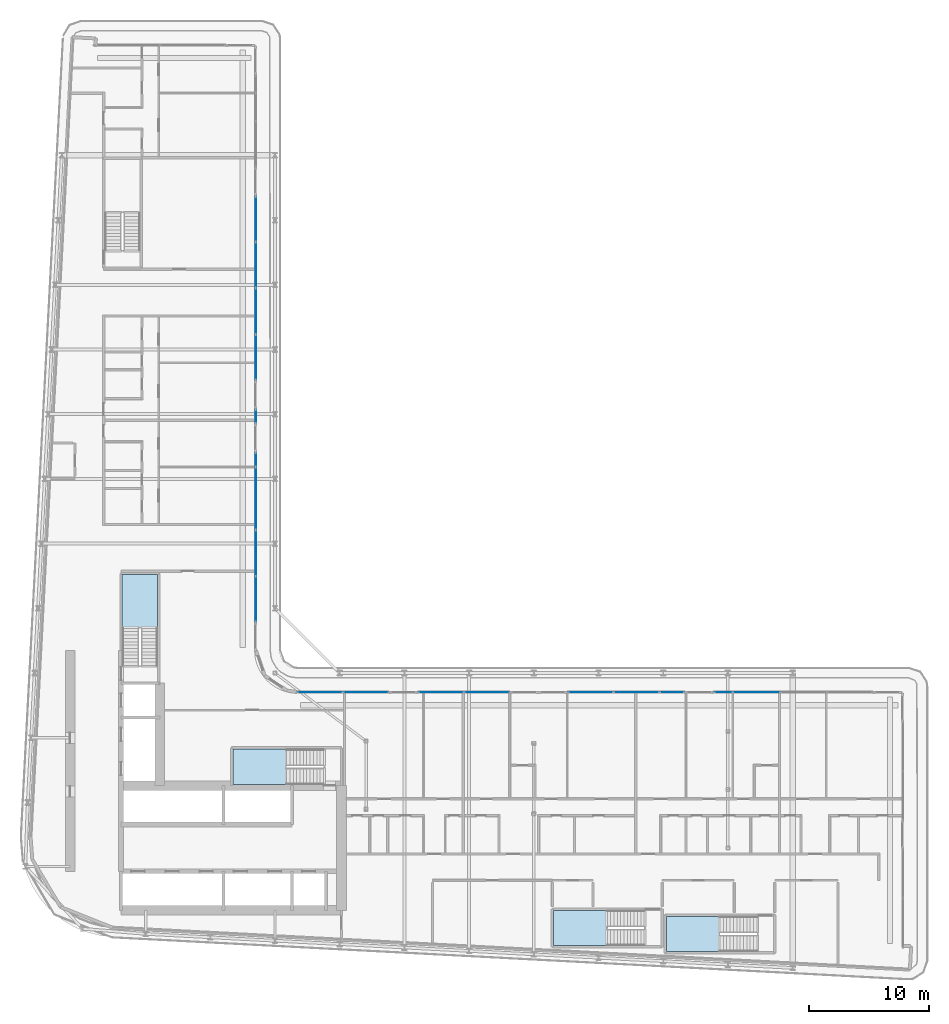
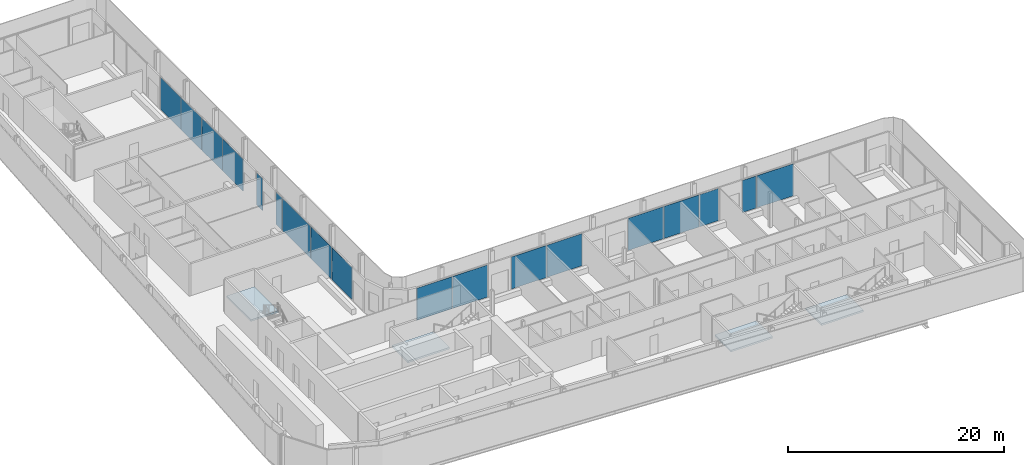
# One storey, part 12 of 29: 18 plates, 4 slabs, 14 elements without a shape of their own.
"""IFC4 building model written with IfcOpenShell, lengths in metres."""

from ifc_helpers import new_model, si_unit, direction, frame, origin, origin_2d, place, context, subcontext, project, spatial, polyline, rectangle, outline, extrude, material, layer, layer_set, type_object, element, aggregate, save


model = new_model("IFC4")

# Units and contexts
model_context = context("Model", 3, precision=1e-05, world=origin(), true_north=direction((0.0, 1.0)))
body_context = subcontext(model_context, "Body", "Model", "MODEL_VIEW")
ifc_project = project(units=[si_unit("LENGTHUNIT", "METRE"), si_unit("AREAUNIT", "SQUARE_METRE"), si_unit("VOLUMEUNIT", "CUBIC_METRE"), si_unit("PLANEANGLEUNIT", "RADIAN"), si_unit("MASSUNIT", "GRAM", prefix="KILO")], contexts=[model_context])

# Site, building, storey
site_placement = place(None, origin())
site = spatial("IfcSite", under=ifc_project, at=site_placement, CompositionType="ELEMENT")
building_placement = place(site_placement, origin())
building = spatial("IfcBuilding", under=site, at=building_placement, Name="Kheshtan School and Residences Tower", CompositionType="ELEMENT")
storey_placement = place(building_placement, frame((0.0, 0.0, 179.89990234375)))
storey = spatial("IfcBuildingStorey", under=building, at=storey_placement, Name="L42", CompositionType="ELEMENT", Elevation=179.89990234375)

# Curtain wall, plates
ifc_material_1 = material(Name="Clear low-e glass in thermally broken aluminium frame", Category="aluminium")
ifc_layer_1 = layer(ifc_material_1, 0.199951171875)
ifc_layer_set_1 = layer_set([ifc_layer_1], Name="Curtain wall CW-L")
curtain_wall_type = type_object("IfcCurtainWallType", Name="Curtain wall CW-L", PredefinedType="NOTDEFINED", material=ifc_layer_set_1)
curtain_wall_1_placement = place(storey_placement, origin())
curtain_wall_1 = element("IfcCurtainWall", 1, at=curtain_wall_1_placement, inside=storey, type_object=curtain_wall_type, Name="Curtain wall CWL8", PredefinedType="NOTDEFINED")
ifc_layer_2 = layer(ifc_material_1, 0.031982421875)
ifc_layer_set_2 = layer_set([ifc_layer_2], Name="CW-L glass panel")
plate_type = type_object("IfcPlateType", Name="CW-L glass panel", PredefinedType="CURTAIN_PANEL", material=ifc_layer_set_2)
plate_1_placement = place(storey_placement, frame((46.0, 83.467529296875, 0.000244140625), z_axis=(0.0, 0.0, 1.0), x_axis=(0.0, -1.0, 0.0)))
plate_1 = element("IfcPlate", 2, at=plate_1_placement, type_object=plate_type, Name="CWL8 panel 1.1", PredefinedType="CURTAIN_PANEL", context=body_context, shape_type="SweptSolid", body=[
    extrude(rectangle(XDim=3.757080078125, YDim=0.031982421875, at=origin_2d()), origin(), (0.0, 0.0, 1.0), 3.6298828125),
])
plate_2_placement = place(storey_placement, frame((46.0, 79.650390625, 0.000244140625), z_axis=(0.0, 0.0, 1.0), x_axis=(0.0, -1.0, 0.0)))
plate_2 = element("IfcPlate", 3, at=plate_2_placement, type_object=plate_type, Name="CWL8 panel 2.1", PredefinedType="CURTAIN_PANEL", context=body_context, shape_type="SweptSolid", body=[
    extrude(rectangle(XDim=3.757080078125, YDim=0.031982421875, at=origin_2d()), origin(), (0.0, 0.0, 1.0), 3.6298828125),
])
aggregate(curtain_wall_1, [plate_1, plate_2])

curtain_wall_2_placement = place(storey_placement, origin())
curtain_wall_2 = element("IfcCurtainWall", 4, at=curtain_wall_2_placement, inside=storey, type_object=curtain_wall_type, Name="Curtain wall CWL8", PredefinedType="NOTDEFINED")
plate_3_placement = place(storey_placement, frame((46.0, 75.803466796875, 0.000244140625), z_axis=(0.0, 0.0, 1.0), x_axis=(0.0, -1.0, 0.0)))
plate_3 = element("IfcPlate", 5, at=plate_3_placement, type_object=plate_type, Name="CWL8 panel 1.1", PredefinedType="CURTAIN_PANEL", context=body_context, shape_type="SweptSolid", body=[
    extrude(rectangle(XDim=3.81689453125, YDim=0.031982421875, at=origin_2d()), origin(), (0.0, 0.0, 1.0), 3.6298828125),
])
plate_4_placement = place(storey_placement, frame((46.0, 71.95654296875, 0.000244140625), z_axis=(0.0, 0.0, 1.0), x_axis=(0.0, -1.0, 0.0)))
plate_4 = element("IfcPlate", 6, at=plate_4_placement, type_object=plate_type, Name="CWL8 panel 2.1", PredefinedType="CURTAIN_PANEL", context=body_context, shape_type="SweptSolid", body=[
    extrude(rectangle(XDim=3.757080078125, YDim=0.031982421875, at=origin_2d()), origin(), (0.0, 0.0, 1.0), 3.6298828125),
])
aggregate(curtain_wall_2, [plate_3, plate_4])

# Curtain wall, plate
curtain_wall_3_placement = place(storey_placement, origin())
curtain_wall_3 = element("IfcCurtainWall", 7, at=curtain_wall_3_placement, inside=storey, type_object=curtain_wall_type, Name="Curtain wall CWL8g", PredefinedType="NOTDEFINED")
plate_5_placement = place(storey_placement, frame((46.0, 67.01806640625, 0.000244140625), z_axis=(0.0, 0.0, 1.0), x_axis=(0.0, -1.0, 0.0)))
plate_5 = element("IfcPlate", 8, at=plate_5_placement, type_object=plate_type, Name="CWL8g panel 1.1", PredefinedType="CURTAIN_PANEL", context=body_context, shape_type="SweptSolid", body=[
    extrude(rectangle(XDim=1.080078125, YDim=0.031982421875, at=origin_2d()), origin(), (0.0, 0.0, 1.0), 3.6298828125),
])
aggregate(curtain_wall_3, [plate_5])

# Curtain wall, plates
curtain_wall_4_placement = place(storey_placement, origin())
curtain_wall_4 = element("IfcCurtainWall", 9, at=curtain_wall_4_placement, inside=storey, type_object=curtain_wall_type, Name="Curtain wall CWL8k", PredefinedType="NOTDEFINED")
plate_6_placement = place(storey_placement, frame((46.0, 63.39404296875, 0.000244140625), z_axis=(0.0, 0.0, 1.0), x_axis=(0.0, -1.0, 0.0)))
plate_6 = element("IfcPlate", 10, at=plate_6_placement, type_object=plate_type, Name="CWL8k panel 1.1", PredefinedType="CURTAIN_PANEL", context=body_context, shape_type="SweptSolid", body=[
    extrude(rectangle(XDim=1.1279296875, YDim=0.031982421875, at=origin_2d()), origin(), (0.0, 0.0, 1.0), 3.6298828125),
])
plate_7_placement = place(storey_placement, frame((46.0, 60.177001953125, 0.000244140625), z_axis=(0.0, 0.0, 1.0), x_axis=(0.0, -1.0, 0.0)))
plate_7 = element("IfcPlate", 11, at=plate_7_placement, type_object=plate_type, Name="CWL8k panel 2.1", PredefinedType="CURTAIN_PANEL", context=body_context, shape_type="SweptSolid", body=[
    extrude(rectangle(XDim=5.18603515625, YDim=0.031982421875, at=origin_2d()), origin(), (0.0, 0.0, 1.0), 3.6298828125),
])
aggregate(curtain_wall_4, [plate_6, plate_7])

curtain_wall_5_placement = place(storey_placement, origin())
curtain_wall_5 = element("IfcCurtainWall", 12, at=curtain_wall_5_placement, inside=storey, type_object=curtain_wall_type, Name="Curtain wall CWL8", PredefinedType="NOTDEFINED")
plate_8_placement = place(storey_placement, frame((46.0, 55.615478515625, 0.000244140625), z_axis=(0.0, 0.0, 1.0), x_axis=(0.0, -1.0, 0.0)))
plate_8 = element("IfcPlate", 13, at=plate_8_placement, type_object=plate_type, Name="CWL8 panel 1.1", PredefinedType="CURTAIN_PANEL", context=body_context, shape_type="SweptSolid", body=[
    extrude(rectangle(XDim=3.81689453125, YDim=0.031982421875, at=origin_2d()), origin(), (0.0, 0.0, 1.0), 3.6298828125),
])
plate_9_placement = place(storey_placement, frame((46.0, 51.7685546875, 0.000244140625), z_axis=(0.0, 0.0, 1.0), x_axis=(0.0, -1.0, 0.0)))
plate_9 = element("IfcPlate", 14, at=plate_9_placement, type_object=plate_type, Name="CWL8 panel 2.1", PredefinedType="CURTAIN_PANEL", context=body_context, shape_type="SweptSolid", body=[
    extrude(rectangle(XDim=3.757080078125, YDim=0.031982421875, at=origin_2d()), origin(), (0.0, 0.0, 1.0), 3.6298828125),
])
aggregate(curtain_wall_5, [plate_8, plate_9])

curtain_wall_6_placement = place(storey_placement, origin())
curtain_wall_6 = element("IfcCurtainWall", 15, at=curtain_wall_6_placement, inside=storey, type_object=curtain_wall_type, Name="Curtain wall CWL12j", PredefinedType="NOTDEFINED")
plate_10_placement = place(storey_placement, frame((51.368408203125, 44.0, 0.000244140625), z_axis=(0.0, 0.0, 1.0), x_axis=(1.0, 0.0, 0.0)))
plate_10 = element("IfcPlate", 16, at=plate_10_placement, type_object=plate_type, Name="CWL12j panel 1.1", PredefinedType="CURTAIN_PANEL", context=body_context, shape_type="SweptSolid", body=[
    extrude(rectangle(XDim=3.757080078125, YDim=0.031982421875, at=origin_2d()), origin(), (0.0, 0.0, 1.0), 3.6298828125),
])
plate_11_placement = place(storey_placement, frame((55.185546875, 44.0, 0.000244140625), z_axis=(0.0, 0.0, 1.0), x_axis=(1.0, 0.0, 0.0)))
plate_11 = element("IfcPlate", 17, at=plate_11_placement, type_object=plate_type, Name="CWL12j panel 2.1", PredefinedType="CURTAIN_PANEL", context=body_context, shape_type="SweptSolid", body=[
    extrude(rectangle(XDim=3.757080078125, YDim=0.031982421875, at=origin_2d()), origin(), (0.0, 0.0, 1.0), 3.6298828125),
])
aggregate(curtain_wall_6, [plate_10, plate_11])

curtain_wall_7_placement = place(storey_placement, origin())
curtain_wall_7 = element("IfcCurtainWall", 18, at=curtain_wall_7_placement, inside=storey, type_object=curtain_wall_type, Name="Curtain wall CWL12j", PredefinedType="NOTDEFINED")
plate_12_placement = place(storey_placement, frame((61.46240234375, 44.0, 0.000244140625), z_axis=(0.0, 0.0, 1.0), x_axis=(1.0, 0.0, 0.0)))
plate_12 = element("IfcPlate", 19, at=plate_12_placement, type_object=plate_type, Name="CWL12j panel 1.1", PredefinedType="CURTAIN_PANEL", context=body_context, shape_type="SweptSolid", body=[
    extrude(rectangle(XDim=3.757080078125, YDim=0.031982421875, at=origin_2d()), origin(), (0.0, 0.0, 1.0), 3.6298828125),
])
plate_13_placement = place(storey_placement, frame((65.279541015625, 44.0, 0.000244140625), z_axis=(0.0, 0.0, 1.0), x_axis=(1.0, 0.0, 0.0)))
plate_13 = element("IfcPlate", 20, at=plate_13_placement, type_object=plate_type, Name="CWL12j panel 2.1", PredefinedType="CURTAIN_PANEL", context=body_context, shape_type="SweptSolid", body=[
    extrude(rectangle(XDim=3.757080078125, YDim=0.031982421875, at=origin_2d()), origin(), (0.0, 0.0, 1.0), 3.6298828125),
])
aggregate(curtain_wall_7, [plate_12, plate_13])

curtain_wall_8_placement = place(storey_placement, origin())
curtain_wall_8 = element("IfcCurtainWall", 21, at=curtain_wall_8_placement, inside=storey, type_object=curtain_wall_type, Name="Curtain wall CWL12j", PredefinedType="NOTDEFINED")
plate_14_placement = place(storey_placement, frame((73.95654296875, 44.0, 0.000244140625), z_axis=(0.0, 0.0, 1.0), x_axis=(1.0, 0.0, 0.0)))
plate_14 = element("IfcPlate", 22, at=plate_14_placement, type_object=plate_type, Name="CWL12j panel 1.1", PredefinedType="CURTAIN_PANEL", context=body_context, shape_type="SweptSolid", body=[
    extrude(rectangle(XDim=3.757080078125, YDim=0.031982421875, at=origin_2d()), origin(), (0.0, 0.0, 1.0), 3.6298828125),
])
plate_15_placement = place(storey_placement, frame((77.7734375, 44.0, 0.000244140625), z_axis=(0.0, 0.0, 1.0), x_axis=(1.0, 0.0, 0.0)))
plate_15 = element("IfcPlate", 23, at=plate_15_placement, type_object=plate_type, Name="CWL12j panel 2.1", PredefinedType="CURTAIN_PANEL", context=body_context, shape_type="SweptSolid", body=[
    extrude(rectangle(XDim=3.757080078125, YDim=0.031982421875, at=origin_2d()), origin(), (0.0, 0.0, 1.0), 3.6298828125),
])
aggregate(curtain_wall_8, [plate_14, plate_15])

# Curtain wall, plate
curtain_wall_9_placement = place(storey_placement, origin())
curtain_wall_9 = element("IfcCurtainWall", 24, at=curtain_wall_9_placement, inside=storey, type_object=curtain_wall_type, Name="Curtain wall CWL12d", PredefinedType="NOTDEFINED")
plate_16_placement = place(storey_placement, frame((80.73193359375, 44.0, 0.000244140625), z_axis=(0.0, 0.0, 1.0), x_axis=(1.0, 0.0, 0.0)))
plate_16 = element("IfcPlate", 25, at=plate_16_placement, type_object=plate_type, Name="CWL12d panel 1.1", PredefinedType="CURTAIN_PANEL", context=body_context, shape_type="SweptSolid", body=[
    extrude(rectangle(XDim=2.0400390625, YDim=0.031982421875, at=origin_2d()), origin(), (0.0, 0.0, 1.0), 3.6298828125),
])
aggregate(curtain_wall_9, [plate_16])

# Curtain wall, plates
curtain_wall_10_placement = place(storey_placement, origin())
curtain_wall_10 = element("IfcCurtainWall", 26, at=curtain_wall_10_placement, inside=storey, type_object=curtain_wall_type, Name="Curtain wall CWL12z", PredefinedType="NOTDEFINED")
plate_17_placement = place(storey_placement, frame((85.02099609375, 44.0, 0.000244140625), z_axis=(0.0, 0.0, 1.0), x_axis=(1.0, 0.0, 0.0)))
plate_17 = element("IfcPlate", 27, at=plate_17_placement, type_object=plate_type, Name="CWL12z panel 1.1", PredefinedType="CURTAIN_PANEL", context=body_context, shape_type="SweptSolid", body=[
    extrude(rectangle(XDim=1.498046875, YDim=0.031982421875, at=origin_2d()), origin(), (0.0, 0.0, 1.0), 3.6298828125),
])
plate_18_placement = place(storey_placement, frame((87.7880859375, 44.0, 0.000244140625), z_axis=(0.0, 0.0, 1.0), x_axis=(1.0, 0.0, 0.0)))
plate_18 = element("IfcPlate", 28, at=plate_18_placement, type_object=plate_type, Name="CWL12z panel 2.1", PredefinedType="CURTAIN_PANEL", context=body_context, shape_type="SweptSolid", body=[
    extrude(rectangle(XDim=3.916015625, YDim=0.031982421875, at=origin_2d()), origin(), (0.0, 0.0, 1.0), 3.6298828125),
])
aggregate(curtain_wall_10, [plate_17, plate_18])

# Stair, slab
ifc_material_2 = material(Name="Concrete C40/50", Category="concrete")
stair_type = type_object("IfcStairType", Name="Exit stair, half-turn", PredefinedType="HALF_TURN_STAIR", material=ifc_material_2)
stair_1_placement = place(storey_placement, origin())
stair_1 = element("IfcStair", 29, at=stair_1_placement, inside=storey, type_object=stair_type, Name="L42 Protected Exit Stair ST1", PredefinedType="HALF_TURN_STAIR")
ifc_layer_3 = layer(ifc_material_2, 0.199951171875)
ifc_layer_set_3 = layer_set([ifc_layer_3], Name="Stair landing 200 Concrete C40/50")
slab_type = type_object("IfcSlabType", Name="Stair landing 200 Concrete C40/50", PredefinedType="LANDING", material=ifc_layer_set_3)
slab_1_placement = place(storey_placement, frame((0.0, 0.0, 1.75)))
slab_1 = element("IfcSlab", 30, at=slab_1_placement, type_object=slab_type, Name="ST1 landing 1", PredefinedType="LANDING", context=body_context, shape_type="SweptSolid", body=[
    extrude(outline(polyline([(48.570068359375, 39.25), (44.090087890625, 39.25), (44.090087890625, 36.300048828125), (48.570068359375, 36.300048828125), (48.570068359375, 39.25)])), origin(), (0.0, 0.0, 1.0), 0.2001953125),
])
aggregate(stair_1, [slab_1])

stair_2_placement = place(storey_placement, origin())
stair_2 = element("IfcStair", 31, at=stair_2_placement, inside=storey, type_object=stair_type, Name="L42 Protected Exit Stair ST2", PredefinedType="HALF_TURN_STAIR")
slab_2_placement = place(storey_placement, frame((0.0, 0.0, 1.75)))
slab_2 = element("IfcSlab", 32, at=slab_2_placement, type_object=slab_type, Name="ST2 landing 1", PredefinedType="LANDING", context=body_context, shape_type="SweptSolid", body=[
    extrude(outline(polyline([(37.800048828125, 49.330078125), (37.800048828125, 53.81005859375), (34.85009765625, 53.81005859375), (34.85009765625, 49.330078125), (37.800048828125, 49.330078125)])), origin(), (0.0, 0.0, 1.0), 0.2001953125),
])
aggregate(stair_2, [slab_2])

stair_3_placement = place(storey_placement, origin())
stair_3 = element("IfcStair", 33, at=stair_3_placement, inside=storey, type_object=stair_type, Name="L42 Protected Exit Stair ST4", PredefinedType="HALF_TURN_STAIR")
slab_3_placement = place(storey_placement, frame((0.0, 0.0, 1.75)))
slab_3 = element("IfcSlab", 34, at=slab_3_placement, type_object=slab_type, Name="ST4 landing 1", PredefinedType="LANDING", context=body_context, shape_type="SweptSolid", body=[
    extrude(outline(polyline([(84.739990234375, 25.300048828125), (80.260009765625, 25.300048828125), (80.260009765625, 22.35009765625), (84.739990234375, 22.35009765625), (84.739990234375, 25.300048828125)])), origin(), (0.0, 0.0, 1.0), 0.2001953125),
])
aggregate(stair_3, [slab_3])

stair_4_placement = place(storey_placement, origin())
stair_4 = element("IfcStair", 35, at=stair_4_placement, inside=storey, type_object=stair_type, Name="L42 Protected Exit Stair ST5", PredefinedType="HALF_TURN_STAIR")
slab_4_placement = place(storey_placement, frame((0.0, 0.0, 1.75)))
slab_4 = element("IfcSlab", 36, at=slab_4_placement, type_object=slab_type, Name="ST5 landing 1", PredefinedType="LANDING", context=body_context, shape_type="SweptSolid", body=[
    extrude(outline(polyline([(75.330078125, 25.800048828125), (70.85009765625, 25.800048828125), (70.85009765625, 22.85009765625), (75.330078125, 22.85009765625), (75.330078125, 25.800048828125)])), origin(), (0.0, 0.0, 1.0), 0.2001953125),
])
aggregate(stair_4, [slab_4])

save(model, "model.ifc")
